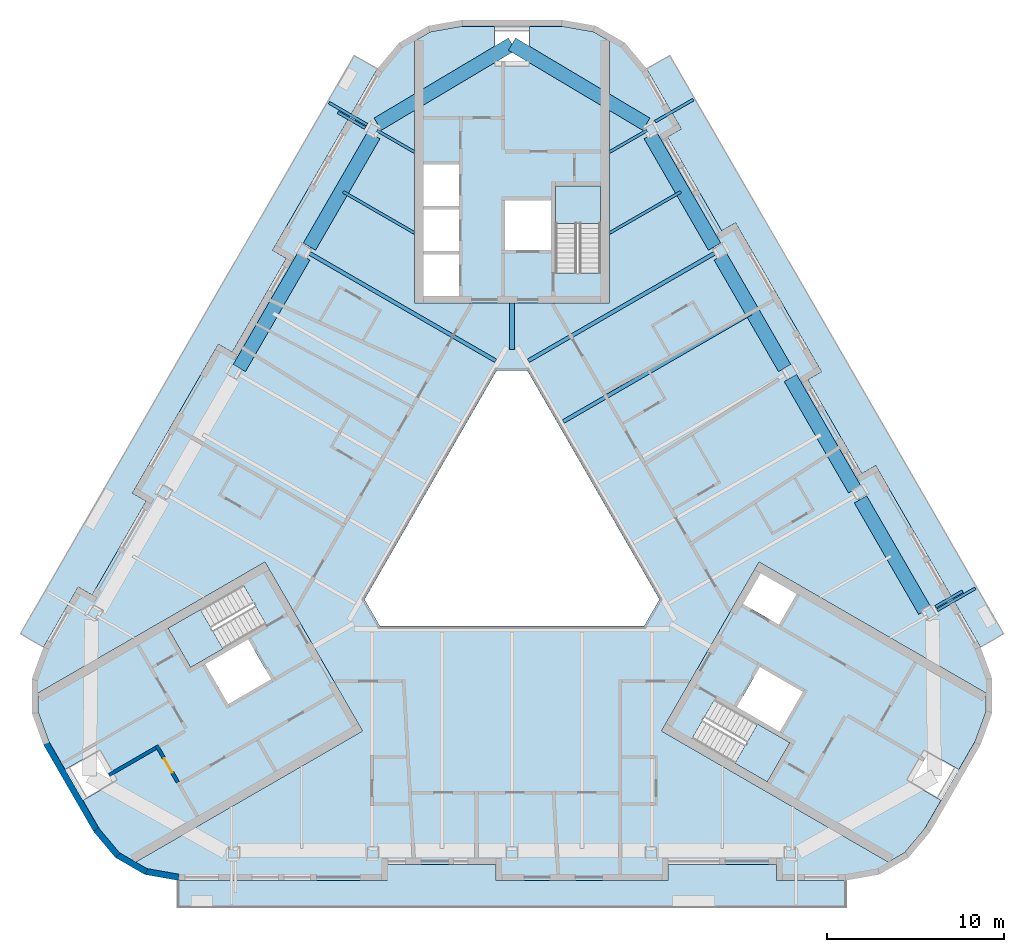
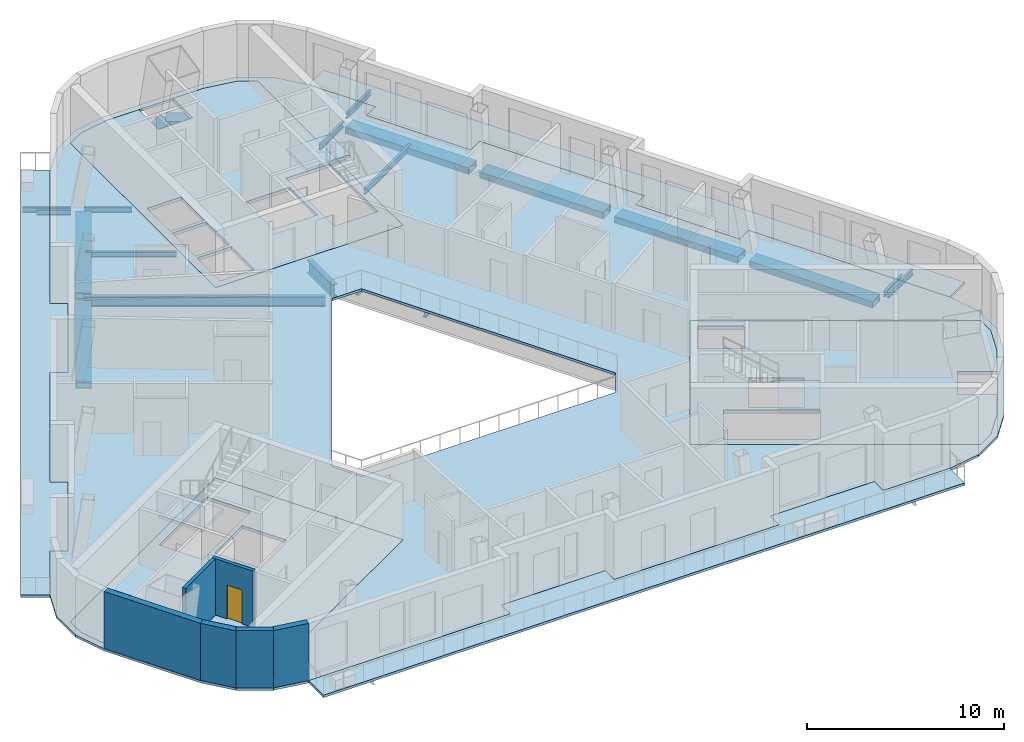
# One storey, part 2 of 14: 21 beams, 10 slabs, 6 walls, 1 door, 1 opening, 3 elements without a shape of their own.
"""IFC4 building model written with IfcOpenShell, lengths in metres."""

from ifc_helpers import new_model, si_unit, direction, frame, frame_2d, origin, origin_2d, place, context, subcontext, project, spatial, polyline, rectangle, hollow_rectangle, i_section, outline, extrude, material, layer, layer_set, material_profile, profile_set, type_object, element, fill, aggregate, save


model = new_model("IFC4")

# Units and contexts
model_context = context("Model", 3, precision=1e-05, world=origin(), true_north=direction((0.0, 1.0)))
body_context = subcontext(model_context, "Body", "Model", "MODEL_VIEW")
ifc_project = project(units=[si_unit("LENGTHUNIT", "METRE"), si_unit("AREAUNIT", "SQUARE_METRE"), si_unit("VOLUMEUNIT", "CUBIC_METRE"), si_unit("PLANEANGLEUNIT", "RADIAN"), si_unit("MASSUNIT", "GRAM", prefix="KILO")], contexts=[model_context])

# Site, building, storey
site_placement = place(None, origin())
site = spatial("IfcSite", under=ifc_project, at=site_placement, CompositionType="ELEMENT")
building_placement = place(site_placement, origin())
building = spatial("IfcBuilding", under=site, at=building_placement, Name="Apuvela Tower Hotel", CompositionType="ELEMENT")
storey_placement = place(building_placement, frame((0.0, 0.0, 254.10009765625)))
storey = spatial("IfcBuildingStorey", under=building, at=storey_placement, Name="L62", CompositionType="ELEMENT", Elevation=254.10009765625)

# Beams
ifc_material_1 = material(Name="Steel S355", Category="steel")
ifc_material_profile_1 = material_profile(ifc_material_1, i_section(OverallWidth=0.159912109375, OverallDepth=0.330078125, WebThickness=0.007568359375, FlangeThickness=0.011474609375, at=origin_2d()), Name="IPE 330")
ifc_profile_set_1 = profile_set([ifc_material_profile_1], Name="Steel S355")
beam_type_1 = type_object("IfcBeamType", Name="ENV-BALCONY-BEAM-IPE330", PredefinedType="BEAM", material=ifc_profile_set_1)
beam_1_placement = place(storey_placement, frame((23.968994140625, -4.40576171875, -0.315185546875), z_axis=(0.866031185235, 0.4999899861, 0.0), x_axis=(-0.4999899861, 0.866031185235, 0.0)))
element("IfcBeam", 1, at=beam_1_placement, inside=storey, type_object=beam_type_1, Name="Balcony cantilever beam NE1 L62", PredefinedType="BEAM", context=body_context, shape_type="SweptSolid", body=[
    extrude(i_section(OverallWidth=0.159912109375, OverallDepth=0.330078125, WebThickness=0.007568359375, FlangeThickness=0.011474609375, at=origin_2d()), origin(), (0.0, 0.0, 1.0), 2.47509765625),
])
beam_2_placement = place(storey_placement, frame((23.859130859375, -4.215087890625, -0.315185546875), z_axis=(0.866025242659, 0.500000279077, 0.0), x_axis=(-0.500000279077, 0.866025242659, 0.0)))
element("IfcBeam", 2, at=beam_2_placement, inside=storey, type_object=beam_type_1, Name="Balcony cantilever beam NE2 L62", PredefinedType="BEAM", context=body_context, shape_type="SweptSolid", body=[
    extrude(i_section(OverallWidth=0.159912109375, OverallDepth=0.330078125, WebThickness=0.007568359375, FlangeThickness=0.011474609375, at=origin_2d()), origin(), (0.0, 0.0, 1.0), 1.77490234375),
])
for number, where, z_axis, x_axis, name in (
    (3, (8.069091796875, 23.1337890625, -0.315185546875), (0.866006523861, 0.500032699561, 0.0), (-0.500032699561, 0.866006523861, 0.0), "Balcony cantilever beam NE3 L62"),
    (4, (-8.169189453125, 22.960693359375, -0.315185546875), (-0.866006523861, 0.500032699561, 0.0), (-0.500032699561, -0.866006523861, 0.0), "Balcony cantilever beam NW1 L62"),
):
    element("IfcBeam", number, at=place(storey_placement, frame(where, z_axis=z_axis, x_axis=x_axis)), inside=storey, type_object=beam_type_1, Name=name, PredefinedType="BEAM", context=body_context, shape_type="SweptSolid", body=[
        extrude(i_section(OverallWidth=0.159912109375, OverallDepth=0.330078125, WebThickness=0.007568359375, FlangeThickness=0.011474609375, at=origin_2d()), origin(), (0.0, 0.0, 1.0), 2.474853515625),
    ])
beam_3_placement = place(storey_placement, frame((-8.279052734375, 22.770263671875, -0.315185546875), z_axis=(-0.866059624469, 0.499940723351, 0.0), x_axis=(-0.499940723351, -0.866059624469, 0.0)))
element("IfcBeam", 5, at=beam_3_placement, inside=storey, type_object=beam_type_1, Name="Balcony cantilever beam NW2 L62", PredefinedType="BEAM", context=body_context, shape_type="SweptSolid", body=[
    extrude(i_section(OverallWidth=0.159912109375, OverallDepth=0.330078125, WebThickness=0.007568359375, FlangeThickness=0.011474609375, at=origin_2d()), origin(), (0.0, 0.0, 1.0), 1.775146484375),
])
ifc_material_profile_2 = material_profile(ifc_material_1, i_section(OverallWidth=0.159912109375, OverallDepth=0.330078125, WebThickness=0.007568359375, FlangeThickness=0.011474609375, at=origin_2d()), Name="IPE 330")
ifc_profile_set_2 = profile_set([ifc_material_profile_2], Name="Steel S355")
beam_type_2 = type_object("IfcBeamType", Name="STR-B floor beam IPE 330", PredefinedType="BEAM", material=ifc_profile_set_2)
beam_4_placement = place(storey_placement, frame((9.51611328125, 19.177490234375, -0.315185546875), z_axis=(-0.866011997788, -0.500023219148, 0.0), x_axis=(0.500023219148, -0.866011997788, 0.0)))
element("IfcBeam", 6, at=beam_4_placement, inside=storey, type_object=beam_type_2, Name="Floor beam B1 NE8", PredefinedType="BEAM", context=body_context, shape_type="SweptSolid", body=[
    extrude(i_section(OverallWidth=0.159912109375, OverallDepth=0.330078125, WebThickness=0.007568359375, FlangeThickness=0.011474609375, at=origin_2d()), origin(), (0.0, 0.0, 1.0), 4.637451171875),
])
for number, where, z_axis, x_axis, name in (
    (7, (7.606201171875, 22.6357421875, -0.315185546875), (-0.866016743675, -0.500014999449, 0.0), (0.500014999449, -0.866016743675, 0.0), "Floor beam B1 NE9"),
    (8, (-7.606201171875, 22.6357421875, -0.315185546875), (0.866016743675, -0.500014999449, 0.0), (0.500014999449, 0.866016743675, 0.0), "Floor beam B1 NW1"),
):
    element("IfcBeam", number, at=place(storey_placement, frame(where, z_axis=z_axis, x_axis=x_axis)), inside=storey, type_object=beam_type_2, Name=name, PredefinedType="BEAM", context=body_context, shape_type="SweptSolid", body=[
        extrude(i_section(OverallWidth=0.159912109375, OverallDepth=0.330078125, WebThickness=0.007568359375, FlangeThickness=0.011474609375, at=origin_2d()), origin(), (0.0, 0.0, 1.0), 2.43212890625),
    ])
beam_5_placement = place(storey_placement, frame((-9.51611328125, 19.177490234375, -0.315185546875), z_axis=(0.866011997788, -0.500023219148, 0.0), x_axis=(0.500023219148, 0.866011997788, 0.0)))
element("IfcBeam", 9, at=beam_5_placement, inside=storey, type_object=beam_type_2, Name="Floor beam B1 NW2", PredefinedType="BEAM", context=body_context, shape_type="SweptSolid", body=[
    extrude(i_section(OverallWidth=0.159912109375, OverallDepth=0.330078125, WebThickness=0.007568359375, FlangeThickness=0.011474609375, at=origin_2d()), origin(), (0.0, 0.0, 1.0), 4.637451171875),
])
ifc_material_profile_3 = material_profile(ifc_material_1, i_section(OverallWidth=0.219970703125, OverallDepth=0.60009765625, WebThickness=0.011962890625, FlangeThickness=0.01904296875, at=origin_2d()), Name="IPE 600")
ifc_profile_set_3 = profile_set([ifc_material_profile_3], Name="Steel S355")
beam_type_3 = type_object("IfcBeamType", Name="STR-B floor beam IPE 600", PredefinedType="BEAM", material=ifc_profile_set_3)
beam_6_placement = place(storey_placement, frame((13.46630859375, 12.335693359375, -0.4501953125), z_axis=(-0.866027090894, -0.499997077828, 0.0), x_axis=(0.499997077828, -0.866027090894, 0.0)))
element("IfcBeam", 10, at=beam_6_placement, inside=storey, type_object=beam_type_3, Name="Floor beam B8 NE6", PredefinedType="BEAM", context=body_context, shape_type="SweptSolid", body=[
    extrude(i_section(OverallWidth=0.219970703125, OverallDepth=0.60009765625, WebThickness=0.011962890625, FlangeThickness=0.01904296875, at=origin_2d()), origin(), (0.0, 0.0, 1.0), 12.2099609375),
])
for number, where, z_axis, x_axis, name in (
    (11, (11.55615234375, 15.794189453125, -0.4501953125), (-0.866023424837, -0.500003427622, 0.0), (0.500003427622, -0.866023424837, 0.0), "Floor beam B8 NE7"),
    (12, (-11.55615234375, 15.794189453125, -0.4501953125), (0.866023424837, -0.500003427622, 0.0), (0.500003427622, 0.866023424837, 0.0), "Floor beam B8 NW3"),
):
    element("IfcBeam", number, at=place(storey_placement, frame(where, z_axis=z_axis, x_axis=x_axis)), inside=storey, type_object=beam_type_3, Name=name, PredefinedType="BEAM", context=body_context, shape_type="SweptSolid", body=[
        extrude(i_section(OverallWidth=0.219970703125, OverallDepth=0.60009765625, WebThickness=0.011962890625, FlangeThickness=0.01904296875, at=origin_2d()), origin(), (0.0, 0.0, 1.0), 12.28515625),
    ])
ifc_material_profile_4 = material_profile(ifc_material_1, i_section(OverallWidth=0.300048828125, OverallDepth=0.800048828125, WebThickness=0.017578125, FlangeThickness=0.032958984375, at=origin_2d()), Name="HE 800 B")
ifc_profile_set_4 = profile_set([ifc_material_profile_4], Name="Steel S355")
beam_type_4 = type_object("IfcBeamType", Name="STR-GT core tie beam HE 800 B", PredefinedType="BEAM", material=ifc_profile_set_4)
beam_7_placement = place(storey_placement, frame((0.0, 12.89990234375, -0.550048828125), z_axis=(0.0, -1.0, 0.0), x_axis=(1.0, 0.0, 0.0)))
element("IfcBeam", 13, at=beam_7_placement, inside=storey, type_object=beam_type_4, Name="Core tie beam GT1 N", PredefinedType="BEAM", context=body_context, shape_type="SweptSolid", body=[
    extrude(i_section(OverallWidth=0.300048828125, OverallDepth=0.800048828125, WebThickness=0.017578125, FlangeThickness=0.032958984375, at=origin_2d()), origin(), (0.0, 0.0, 1.0), 2.599853515625),
])
ifc_material_2 = material(Name="Steel S460", Category="steel")
ifc_material_profile_5 = material_profile(ifc_material_2, hollow_rectangle(XDim=0.800048828125, YDim=0.39990234375, WallThickness=0.02490234375, at=origin_2d()), Name="BOX 800x400x25")
ifc_profile_set_5 = profile_set([ifc_material_profile_5], Name="Steel S460")
beam_type_5 = type_object("IfcBeamType", Name="STR-RB perimeter ring beam BOX 800x400x25", PredefinedType="SPANDREL", material=ifc_profile_set_5)
for number, where, z_axis, x_axis, name in (
    (14, (23.265380859375, -4.436767578125, -0.400146484375), (-0.500007150726, 0.866021275271, 0.0), (-0.866021275271, -0.500007150726, 0.0), "Ring beam RB1 NE1"),
    (15, (19.315185546875, 2.40478515625, -0.400146484375), (-0.499992569217, 0.866029693906, 0.0), (-0.866029693906, -0.499992569217, 0.0), "Ring beam RB1 NE2"),
    (16, (15.365234375, 9.24658203125, -0.400146484375), (-0.500007150726, 0.866021275271, 0.0), (-0.866021275271, -0.500007150726, 0.0), "Ring beam RB1 NE3"),
    (17, (11.415283203125, 16.088134765625, -0.400146484375), (-0.500007150726, 0.866021275271, 0.0), (-0.866021275271, -0.500007150726, 0.0), "Ring beam RB1 NE4"),
    (18, (-7.790283203125, 22.36669921875, -0.400146484375), (-0.500007150726, -0.866021275271, 0.0), (0.866021275271, -0.500007150726, 0.0), "Ring beam RB1 NW1"),
    (19, (-11.740234375, 15.525146484375, -0.400146484375), (-0.500007150726, -0.866021275271, 0.0), (0.866021275271, -0.500007150726, 0.0), "Ring beam RB1 NW2"),
):
    element("IfcBeam", number, at=place(storey_placement, frame(where, z_axis=z_axis, x_axis=x_axis)), inside=storey, type_object=beam_type_5, Name=name, PredefinedType="SPANDREL", context=body_context, shape_type="SweptSolid", body=[
        extrude(hollow_rectangle(XDim=0.800048828125, YDim=0.39990234375, WallThickness=0.02490234375, at=origin_2d()), origin(), (0.0, 0.0, 1.0), 7.25),
    ])
for number, where, z_axis, x_axis, name in (
    (20, (7.56787109375, 22.98876953125, -0.400146484375), (-0.858966193187, 0.512032302655, 0.0), (-0.512032302655, -0.858966193187, 0.0), "Ring beam RB1 NE5-N"),
    (21, (-7.56787109375, 22.98876953125, -0.400146484375), (0.858966193187, 0.512032302655, 0.0), (-0.512032302655, 0.858966193187, 0.0), "Ring beam RB1 NW1-N"),
):
    element("IfcBeam", number, at=place(storey_placement, frame(where, z_axis=z_axis, x_axis=x_axis)), inside=storey, type_object=beam_type_5, Name=name, PredefinedType="SPANDREL", context=body_context, shape_type="SweptSolid", body=[
        extrude(hollow_rectangle(XDim=0.800048828125, YDim=0.39990234375, WallThickness=0.02490234375, at=origin_2d()), origin(), (0.0, 0.0, 1.0), 8.810546875),
    ])

# Slabs
ifc_material_3 = material(Name="Concrete C50/60", Category="concrete")
ifc_layer_1 = layer(ifc_material_3, 0.199951171875)
ifc_layer_set_1 = layer_set([ifc_layer_1], Name="COR-FLOOR-200")
slab_type_1 = type_object("IfcSlabType", Name="COR-FLOOR-200", PredefinedType="FLOOR", material=ifc_layer_set_1)
slab_1_placement = place(storey_placement, frame((0.0, 0.0, -0.2001953125)))
element("IfcSlab", 22, at=slab_1_placement, inside=storey, type_object=slab_type_1, Name="Core floor N", PredefinedType="FLOOR", context=body_context, shape_type="SweptSolid", body=[
    extrude(outline(polyline([(5.5, 27.668212890625), (4.588623046875, 28.1943359375), (2.85498046875, 28.5), (1.0, 28.5), (1.0, 26.5), (-1.0, 26.5), (-1.0, 28.5), (-2.85498046875, 28.5), (-4.588623046875, 28.1943359375), (-5.5, 27.668212890625), (-5.5, 12.89990234375), (5.5, 12.89990234375), (5.5, 27.668212890625)]), holes=[polyline([(-3.0, 13.300048828125), (-5.0, 13.300048828125), (-5.0, 15.639892578125), (-3.0, 15.639892578125), (-3.0, 13.300048828125)]), polyline([(-3.0, 15.840087890625), (-5.0, 15.840087890625), (-5.0, 18.179931640625), (-3.0, 18.179931640625), (-3.0, 15.840087890625)]), polyline([(5.0, 14.60595703125), (2.449951171875, 14.60595703125), (2.449951171875, 19.5), (5.0, 19.5), (5.0, 14.60595703125)]), polyline([(2.199951171875, 18.699951171875), (2.199951171875, 15.89990234375), (-0.39990234375, 15.89990234375), (-0.39990234375, 18.699951171875), (2.199951171875, 18.699951171875)]), polyline([(-3.0, 20.719970703125), (-3.0, 18.3798828125), (-5.0, 18.3798828125), (-5.0, 20.719970703125), (-3.0, 20.719970703125)])]), origin(), (0.0, 0.0, 1.0), 0.2001953125),
])
slab_2_placement = place(storey_placement, frame((0.0, 0.0, -0.2001953125)))
element("IfcSlab", 23, at=slab_2_placement, inside=storey, type_object=slab_type_1, Name="Core floor SW", PredefinedType="FLOOR", context=body_context, shape_type="SweptSolid", body=[
    extrude(outline(polyline([(-26.711181640625, -9.07080078125), (-26.711181640625, -10.123291015625), (-26.109375, -11.77734375), (-25.181640625, -13.384033203125), (-23.44970703125, -12.384033203125), (-22.44970703125, -14.115966796875), (-24.181640625, -15.115966796875), (-23.254150390625, -16.72265625), (-22.122802734375, -18.071044921875), (-21.211181640625, -18.59716796875), (-8.421630859375, -11.213134765625), (-13.921630859375, -1.68701171875), (-26.711181640625, -9.07080078125)]), holes=[polyline([(-13.874267578125, -5.18115234375), (-18.112548828125, -7.628173828125), (-19.387451171875, -5.419921875), (-15.149169921875, -2.972900390625), (-13.874267578125, -5.18115234375)]), polyline([(-13.56982421875, -8.29638671875), (-15.99462890625, -9.6962890625), (-17.294677734375, -7.444580078125), (-14.869873046875, -6.044677734375), (-13.56982421875, -8.29638671875)])]), origin(), (0.0, 0.0, 1.0), 0.2001953125),
])
slab_3_placement = place(storey_placement, frame((0.0, 0.0, -0.2001953125)))
element("IfcSlab", 24, at=slab_3_placement, inside=storey, type_object=slab_type_1, Name="Core floor SE", PredefinedType="FLOOR", context=body_context, shape_type="SweptSolid", body=[
    extrude(outline(polyline([(21.211181640625, -18.59716796875), (22.122802734375, -18.071044921875), (23.254150390625, -16.72265625), (24.181640625, -15.115966796875), (22.44970703125, -14.115966796875), (23.44970703125, -12.384033203125), (25.181640625, -13.384033203125), (26.109375, -11.77734375), (26.711181640625, -10.123291015625), (26.711181640625, -9.07080078125), (13.921630859375, -1.68701171875), (8.421630859375, -11.213134765625), (21.211181640625, -18.59716796875)]), holes=[polyline([(14.01806640625, -2.31982421875), (16.044677734375, -3.489990234375), (15.044677734375, -5.221923828125), (13.01806640625, -4.052001953125), (14.01806640625, -2.31982421875)]), polyline([(10.149169921875, -11.633056640625), (11.42431640625, -9.4248046875), (15.66259765625, -11.871826171875), (14.387451171875, -14.080078125), (10.149169921875, -11.633056640625)]), polyline([(12.669921875, -9.855224609375), (13.9697265625, -7.603515625), (16.394775390625, -9.003662109375), (15.0947265625, -11.25537109375), (12.669921875, -9.855224609375)])]), origin(), (0.0, 0.0, 1.0), 0.2001953125),
])

# Stair, slab
stair_type = type_object("IfcStairType", Name="COR-STAIR-22R", PredefinedType="HALF_TURN_STAIR", material=ifc_material_3)
stair_1_placement = place(storey_placement, origin())
stair_1 = element("IfcStair", 25, at=stair_1_placement, inside=storey, type_object=stair_type, Name="L62 Exit stair ST1", PredefinedType="HALF_TURN_STAIR")
ifc_layer_2 = layer(ifc_material_3, 0.199951171875)
ifc_layer_set_2 = layer_set([ifc_layer_2], Name="COR-LANDING-200")
slab_type_2 = type_object("IfcSlabType", Name="COR-LANDING-200", PredefinedType="LANDING", material=ifc_layer_set_2)
slab_4_placement = place(storey_placement, frame((0.0, 0.0, 1.64990234375)))
slab_4 = element("IfcSlab", 26, at=slab_4_placement, type_object=slab_type_2, Name="ST1 landing 1", PredefinedType="LANDING", context=body_context, shape_type="SweptSolid", body=[
    extrude(outline(polyline([(5.0, 17.39404296875), (5.0, 19.5), (2.449951171875, 19.5), (2.449951171875, 17.39404296875), (5.0, 17.39404296875)])), origin(), (0.0, 0.0, 1.0), 0.199951171875),
])
aggregate(stair_1, [slab_4])

stair_2_placement = place(storey_placement, origin())
stair_2 = element("IfcStair", 27, at=stair_2_placement, inside=storey, type_object=stair_type, Name="L62 Exit stair ST2", PredefinedType="HALF_TURN_STAIR")
slab_5_placement = place(storey_placement, frame((0.0, 0.0, 1.64990234375)))
slab_5 = element("IfcSlab", 28, at=slab_5_placement, type_object=slab_type_2, Name="ST2 landing 1", PredefinedType="LANDING", context=body_context, shape_type="SweptSolid", body=[
    extrude(outline(polyline([(-17.563720703125, -4.366943359375), (-19.387451171875, -5.419921875), (-18.112548828125, -7.628173828125), (-16.28857421875, -6.5751953125), (-17.563720703125, -4.366943359375)])), origin(), (0.0, 0.0, 1.0), 0.199951171875),
])
aggregate(stair_2, [slab_5])

stair_3_placement = place(storey_placement, origin())
stair_3 = element("IfcStair", 29, at=stair_3_placement, inside=storey, type_object=stair_type, Name="L62 Exit stair ST3", PredefinedType="HALF_TURN_STAIR")
slab_6_placement = place(storey_placement, frame((0.0, 0.0, 1.64990234375)))
slab_6 = element("IfcSlab", 30, at=slab_6_placement, type_object=slab_type_2, Name="ST3 landing 1", PredefinedType="LANDING", context=body_context, shape_type="SweptSolid", body=[
    extrude(outline(polyline([(12.563720703125, -13.027099609375), (14.387451171875, -14.080078125), (15.66259765625, -11.871826171875), (13.838623046875, -10.81884765625), (12.563720703125, -13.027099609375)])), origin(), (0.0, 0.0, 1.0), 0.199951171875),
])
aggregate(stair_3, [slab_6])

# Slabs
ifc_material_4 = material(Name="Concrete C40/50, fair-faced", Category="concrete")
ifc_layer_3 = layer(ifc_material_4, 0.14990234375)
ifc_layer_set_3 = layer_set([ifc_layer_3], Name="ENV-BALCONY-150")
slab_type_3 = type_object("IfcSlabType", Name="ENV-BALCONY-150", PredefinedType="FLOOR", material=ifc_layer_set_3)
slab_7_placement = place(storey_placement, frame((0.0, 0.0, -0.150146484375)))
element("IfcSlab", 31, at=slab_7_placement, inside=storey, type_object=slab_type_3, Name="Balcony slab S L62", PredefinedType="FLOOR", context=body_context, shape_type="SweptSolid", body=[
    extrude(outline(polyline([(18.82080078125, -21.135009765625), (-18.82080078125, -21.135009765625), (-18.82080078125, -19.625), (-7.0048828125, -19.625), (-7.0048828125, -18.72509765625), (-0.89501953125, -18.72509765625), (-0.89501953125, -19.625), (8.794921875, -19.625), (8.794921875, -18.72509765625), (14.905029296875, -18.72509765625), (14.905029296875, -19.625), (18.82080078125, -19.625), (18.82080078125, -21.135009765625)])), origin(), (0.0, 0.0, 1.0), 0.150146484375),
])
slab_8_placement = place(storey_placement, frame((0.0, 0.0, -0.150146484375)))
element("IfcSlab", 32, at=slab_8_placement, inside=storey, type_object=slab_type_3, Name="Balcony slab NE L62", PredefinedType="FLOOR", context=body_context, shape_type="SweptSolid", body=[
    extrude(outline(polyline([(17.443359375, 9.037353515625), (12.598388671875, 17.42919921875), (11.81884765625, 16.979248046875), (8.763916015625, 22.2705078125), (9.543212890625, 22.720703125), (7.585205078125, 26.11181640625), (8.89306640625, 26.86669921875), (27.7138671875, -5.731689453125), (26.40625, -6.48681640625), (20.498291015625, 3.74609375), (19.71875, 3.2958984375), (16.663818359375, 8.58740234375), (17.443359375, 9.037353515625)])), origin(), (0.0, 0.0, 1.0), 0.150146484375),
])
slab_9_placement = place(storey_placement, frame((0.0, 0.0, -0.150146484375)))
element("IfcSlab", 33, at=slab_9_placement, inside=storey, type_object=slab_type_3, Name="Balcony slab NW L62", PredefinedType="FLOOR", context=body_context, shape_type="SweptSolid", body=[
    extrude(outline(polyline([(-27.7138671875, -5.731689453125), (-8.89306640625, 26.86669921875), (-7.585205078125, 26.11181640625), (-13.4931640625, 15.87890625), (-12.7138671875, 15.428955078125), (-15.768798828125, 10.1376953125), (-16.548095703125, 10.587646484375), (-21.393310546875, 2.19580078125), (-20.61376953125, 1.745849609375), (-23.668701171875, -3.545654296875), (-24.4482421875, -3.095703125), (-26.40625, -6.48681640625), (-27.7138671875, -5.731689453125)])), origin(), (0.0, 0.0, 1.0), 0.150146484375),
])
ifc_material_5 = material(Name="Concrete C35/45", Category="concrete")
ifc_layer_4 = layer(ifc_material_5, 0.14990234375)
ifc_layer_set_4 = layer_set([ifc_layer_4], Name="STR-SLAB 150 floor Concrete C35/45")
slab_type_4 = type_object("IfcSlabType", Name="STR-SLAB 150 floor Concrete C35/45", PredefinedType="FLOOR", material=ifc_layer_set_4)
slab_10_placement = place(storey_placement, frame((0.0, 0.0, -0.150146484375)))
element("IfcSlab", 34, at=slab_10_placement, inside=storey, type_object=slab_type_4, Name="Floor slab S4 L62", PredefinedType="FLOOR", context=body_context, shape_type="SweptSolid", body=[
    extrude(outline(polyline([(-6.3642578125, 27.5732421875), (-4.710205078125, 28.5283203125), (-2.8291015625, 28.860107421875), (2.8291015625, 28.860107421875), (4.710205078125, 28.5283203125), (6.3642578125, 27.5732421875), (7.59228515625, 26.110107421875), (9.550048828125, 22.71875), (8.770751953125, 22.268798828125), (11.82080078125, 16.986083984375), (12.60009765625, 17.43603515625), (17.4501953125, 9.035400390625), (16.670654296875, 8.58544921875), (19.720703125, 3.302734375), (20.5, 3.752685546875), (26.407958984375, -6.47998046875), (27.061279296875, -8.27490234375), (27.061279296875, -10.18505859375), (26.407958984375, -11.97998046875), (23.5791015625, -16.8798828125), (22.351318359375, -18.34326171875), (20.697021484375, -19.29833984375), (18.81591796875, -19.6298828125), (14.89990234375, -19.6298828125), (14.89990234375, -18.72998046875), (8.800048828125, -18.72998046875), (8.800048828125, -19.6298828125), (-0.89990234375, -19.6298828125), (-0.89990234375, -18.72998046875), (-7.0, -18.72998046875), (-7.0, -19.6298828125), (-18.81591796875, -19.6298828125), (-20.697021484375, -19.29833984375), (-22.351318359375, -18.34326171875), (-23.5791015625, -16.8798828125), (-26.407958984375, -11.97998046875), (-27.061279296875, -10.18505859375), (-27.061279296875, -8.27490234375), (-26.407958984375, -6.47998046875), (-24.4501953125, -3.088623046875), (-23.670654296875, -3.538818359375), (-20.62060546875, 1.743896484375), (-21.400146484375, 2.194091796875), (-16.550048828125, 10.594482421875), (-15.7705078125, 10.14453125), (-12.720703125, 15.42724609375), (-13.5, 15.877197265625), (-7.59228515625, 26.110107421875), (-6.3642578125, 27.5732421875)]), holes=[polyline([(0.865966796875, 9.10009765625), (-0.865966796875, 9.10009765625), (-8.313720703125, -3.800048828125), (-7.44775390625, -5.300048828125), (7.44775390625, -5.300048828125), (8.313720703125, -3.800048828125), (0.865966796875, 9.10009765625)]), polyline([(-5.5, 12.89990234375), (-5.5, 27.668212890625), (-4.588623046875, 28.1943359375), (-2.85498046875, 28.5), (2.85498046875, 28.5), (4.588623046875, 28.1943359375), (5.5, 27.668212890625), (5.5, 12.89990234375), (-5.5, 12.89990234375)]), polyline([(-8.421630859375, -11.213134765625), (-21.211181640625, -18.59716796875), (-22.122802734375, -18.071044921875), (-23.254150390625, -16.72265625), (-26.109375, -11.77734375), (-26.711181640625, -10.123291015625), (-26.711181640625, -9.07080078125), (-13.921630859375, -1.68701171875), (-8.421630859375, -11.213134765625)]), polyline([(13.921630859375, -1.68701171875), (26.711181640625, -9.07080078125), (26.711181640625, -10.123291015625), (26.109375, -11.77734375), (23.254150390625, -16.72265625), (22.122802734375, -18.071044921875), (21.211181640625, -18.59716796875), (8.421630859375, -11.213134765625), (13.921630859375, -1.68701171875)])]), origin(), (0.0, 0.0, 1.0), 0.150146484375),
])

# Wall, opening, door
ifc_layer_5 = layer(ifc_material_3, 0.199951171875)
ifc_layer_set_5 = layer_set([ifc_layer_5], Name="COR-WALL-SHAFT-200")
wall_type_1 = type_object("IfcWallType", Name="COR-WALL-SHAFT-200", PredefinedType="SHEAR", material=ifc_layer_set_5)
wall_1_placement = place(storey_placement, frame((-20.030517578125, -12.0263671875, 0.0), z_axis=(0.0, 0.0, 1.0), x_axis=(0.500033551112, -0.866006032174, 0.0)))
wall_1 = element("IfcWall", 35, at=wall_1_placement, inside=storey, type_object=wall_type_1, Name="Shaft wall SW", PredefinedType="SHEAR", context=body_context, shape_type="SweptSolid", body=[
    extrude(rectangle(XDim=2.400146484375, YDim=0.199951171875, at=frame_2d((1.2001953125, 0.0))), origin(), (0.0, 0.0, 1.0), 3.5),
])
opening_placement = place(wall_1_placement, frame((0.85009765625, 0.0, 0.0)))
opening = element("IfcOpeningElement", 36, at=opening_placement, cuts=wall_1, Name="Opening W-REP", PredefinedType="OPENING", context=body_context, shape_type="SweptSolid", body=[
    extrude(rectangle(XDim=0.89990234375, YDim=2.10009765625, at=frame_2d((0.449951171875, 1.050048828125))), frame((0.0, 0.10986328125, 0.0), z_axis=(0.0, -1.0, 0.0), x_axis=(1.0, 0.0, 0.0)), (0.0, 0.0, 1.0), 0.219970703125),
])
ifc_material_6 = material(Name="Steel fire door, powder coated", Category="steel")
door_type = type_object("IfcDoorType", Name="COR-DR-900", OperationType="NOTDEFINED", PredefinedType="DOOR", material=ifc_material_6)
door_placement = place(opening_placement, frame((0.89990234375, 0.0, 0.0), z_axis=(0.0, 0.0, 1.0), x_axis=(-1.0, 0.0, 0.0)))
door = element("IfcDoor", 37, at=door_placement, inside=storey, type_object=door_type, Name="Store door W-REP", OperationType="SINGLE_SWING_LEFT", OverallHeight=2.10009765625, OverallWidth=0.89990234375, PredefinedType="DOOR", context=body_context, shape_type="SweptSolid", body=[
    extrude(rectangle(XDim=0.89990234375, YDim=2.10009765625, at=frame_2d((0.449951171875, 1.050048828125))), frame((0.0, 0.02490234375, 0.0), z_axis=(0.0, -1.0, 0.0), x_axis=(1.0, 0.0, 0.0)), (0.0, 0.0, 1.0), 0.050048828125),
])
fill(opening, door)

# Walls
wall_2_placement = place(storey_placement, frame((-20.06689453125, -12.1630859375, 0.0), z_axis=(0.0, 0.0, 1.0), x_axis=(-0.866030456496, -0.499991248344, 0.0)))
element("IfcWall", 38, at=wall_2_placement, inside=storey, type_object=wall_type_1, Name="Shaft wall SW", PredefinedType="SHEAR", context=body_context, shape_type="SweptSolid", body=[
    extrude(rectangle(XDim=3.0400390625, YDim=0.199951171875, at=frame_2d((1.52001953125, 0.0))), origin(), (0.0, 0.0, 1.0), 3.5),
])
ifc_material_7 = material(Name="Concrete C40/50, dark pigmented precast panel", Category="concrete")
ifc_layer_6 = layer(ifc_material_7, 0.35009765625)
ifc_layer_set_6 = layer_set([ifc_layer_6], Name="ENV-WALL-350")
wall_type_2 = type_object("IfcWallType", Name="ENV-WALL-350", PredefinedType="SOLIDWALL", material=ifc_layer_set_6)
wall_3_placement = place(storey_placement, frame((-26.256591796875, -11.892578125, 0.0), z_axis=(0.0, 0.0, 1.0), x_axis=(0.500018773155, -0.866014564827, 0.0)))
element("IfcWall", 39, at=wall_3_placement, inside=storey, type_object=wall_type_2, Name="External wall L62-13", PredefinedType="SOLIDWALL", context=body_context, shape_type="SweptSolid", body=[
    extrude(rectangle(XDim=5.657958984375, YDim=0.35009765625, at=frame_2d((2.8291015625, 0.0))), origin(), (0.0, 0.0, 1.0), 3.5498046875),
])
for number, where, z_axis, x_axis, name in (
    (40, (-23.44482421875, -16.767578125, 0.0), (0.0, 0.0, 1.0), (0.642733291068, -0.76609001857, 0.0), "External wall L62-14"),
    (41, (-22.263671875, -18.191650390625, 0.0), (0.0, 0.0, 1.0), (0.866000389056, -0.500043324278, 0.0), "External wall L62-15"),
):
    element("IfcWall", number, at=place(storey_placement, frame(where, z_axis=z_axis, x_axis=x_axis)), inside=storey, type_object=wall_type_2, Name=name, PredefinedType="SOLIDWALL", context=body_context, shape_type="SweptSolid", body=[
        extrude(rectangle(XDim=1.909912109375, YDim=0.35009765625, at=frame_2d((0.955078125, 0.0))), origin(), (0.0, 0.0, 1.0), 3.5498046875),
    ])
wall_4_placement = place(storey_placement, frame((-20.66650390625, -19.1259765625, 0.0), z_axis=(0.0, 0.0, 1.0), x_axis=(0.984798995425, -0.173697837091, 0.0)))
element("IfcWall", 42, at=wall_4_placement, inside=storey, type_object=wall_type_2, Name="External wall L62-16", PredefinedType="SOLIDWALL", context=body_context, shape_type="SweptSolid", body=[
    extrude(rectangle(XDim=1.91015625, YDim=0.35009765625, at=frame_2d((0.955078125, 0.0))), origin(), (0.0, 0.0, 1.0), 3.5498046875),
])

save(model, "model.ifc")
